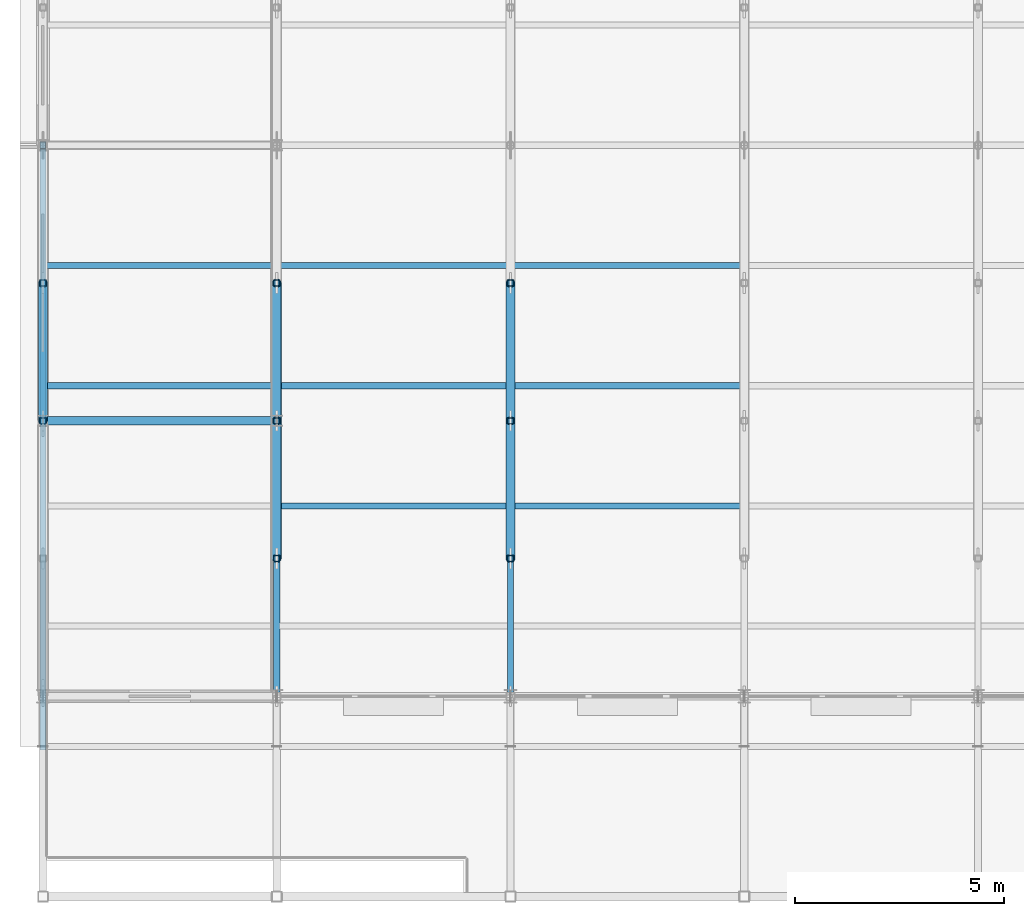
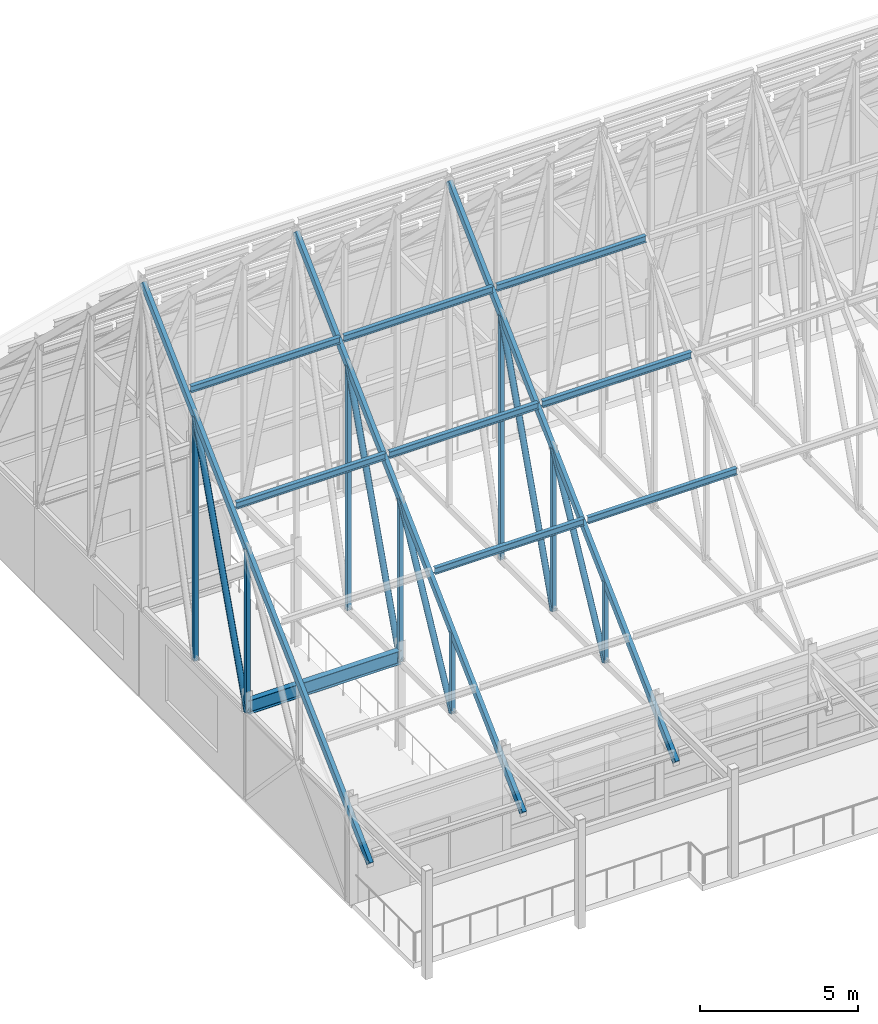
# One storey, part 23 of 144: 24 members, 1 beam.
"""IFC4 building model written with IfcOpenShell, lengths in metres."""

from ifc_helpers import new_model, si_unit, direction, frame, origin, origin_2d, place, context, subcontext, project, spatial, hollow_rectangle, hollow_circle, i_section, extrude, material, material_profile, profile_set, type_object, element, save


model = new_model("IFC4")

# Units and contexts
model_context = context("Model", 3, precision=1e-05, world=origin(), true_north=direction((0.0, 1.0)))
body_context = subcontext(model_context, "Body", "Model", "MODEL_VIEW")
ifc_project = project(units=[si_unit("LENGTHUNIT", "METRE"), si_unit("AREAUNIT", "SQUARE_METRE"), si_unit("VOLUMEUNIT", "CUBIC_METRE"), si_unit("PLANEANGLEUNIT", "RADIAN"), si_unit("MASSUNIT", "GRAM", prefix="KILO")], contexts=[model_context])

# Site, building, storey
site_placement = place(None, origin())
site = spatial("IfcSite", under=ifc_project, at=site_placement, CompositionType="ELEMENT")
building_placement = place(site_placement, origin())
building = spatial("IfcBuilding", under=site, at=building_placement, Name="Trelmorton Wharf Fire Station", CompositionType="ELEMENT")
storey_placement = place(building_placement, frame((0.0, 0.0, 5.39990234375)))
storey = spatial("IfcBuildingStorey", under=building, at=storey_placement, Name="L01", CompositionType="ELEMENT", Elevation=5.39990234375)

# Beam
ifc_material_1 = material(Name="Steel Grade 350", Category="steel")
ifc_material_profile_1 = material_profile(ifc_material_1, i_section(OverallWidth=0.208984375, OverallDepth=0.528076171875, WebThickness=0.009521484375, FlangeThickness=0.01318359375, FilletRadius=0.013916015625, at=origin_2d()), Name="530UB82.0")
ifc_profile_set_1 = profile_set([ifc_material_profile_1], Name="Steel Grade 350")
beam_type = type_object("IfcBeamType", Name="BM_530UB82", PredefinedType="BEAM", material=ifc_profile_set_1)
beam_placement = place(storey_placement, frame((0.803955078125, 14.39990234375, 3.55615234375), z_axis=(1.0, 0.0, 0.0), x_axis=(0.0, 1.0, 0.0)))
element("IfcBeam", 1, at=beam_placement, inside=storey, type_object=beam_type, Name="BM-L01-0423", PredefinedType="BEAM", context=body_context, shape_type="SweptSolid", body=[
    extrude(i_section(OverallWidth=0.208984375, OverallDepth=0.528076171875, WebThickness=0.009521484375, FlangeThickness=0.01318359375, FilletRadius=0.013916015625, at=origin_2d()), origin(), (0.0, 0.0, 1.0), 5.592041015625),
])

# Members
ifc_material_2 = material(Name="Steel Grade 300 (300 MPa)", Category="steel")
ifc_material_profile_2 = material_profile(ifc_material_2, i_section(OverallWidth=0.14599609375, OverallDepth=0.256103515625, WebThickness=0.00634765625, FlangeThickness=0.010986328125, FilletRadius=0.0087890625, at=origin_2d()), Name="250UB37.3")
ifc_profile_set_2 = profile_set([ifc_material_profile_2], Name="Steel Grade 300 (300 MPa)")
member_type_1 = type_object("IfcMemberType", Name="PR_250UB37", PredefinedType="PURLIN", material=ifc_profile_set_2)
for number, where, z_axis, x_axis, name in (
    (2, (0.8720703125, 15.239990234375, 10.8134765625), (1.0, 0.0, 0.0), (0.0, 1.0, 0.0), "V1-PR-B01-S3"),
    (3, (0.8720703125, 18.1201171875, 13.5625), (1.0, 0.0, 0.0), (0.0, 1.0, 0.0), "V1-PR-B01-S4"),
):
    element("IfcMember", number, at=place(storey_placement, frame(where, z_axis=z_axis, x_axis=x_axis)), inside=storey, type_object=member_type_1, Name=name, PredefinedType="PURLIN", context=body_context, shape_type="SweptSolid", body=[
        extrude(i_section(OverallWidth=0.14599609375, OverallDepth=0.256103515625, WebThickness=0.00634765625, FlangeThickness=0.010986328125, FilletRadius=0.0087890625, at=origin_2d()), origin(), (0.0, 0.0, 1.0), 5.455810546875),
    ])
for number, where, z_axis, x_axis, name in (
    (4, (6.471923828125, 12.360107421875, 8.064453125), (1.0, 0.0, 0.0), (0.0, 1.0, 0.0), "V1-PR-B02-S2"),
    (5, (6.471923828125, 15.239990234375, 10.8134765625), (1.0, 0.0, 0.0), (0.0, 1.0, 0.0), "V1-PR-B02-S3"),
    (6, (6.471923828125, 18.1201171875, 13.5625), (1.0, 0.0, 0.0), (0.0, 1.0, 0.0), "V1-PR-B02-S4"),
    (7, (12.072021484375, 12.360107421875, 8.064453125), (1.0, 0.0, 0.0), (0.0, 1.0, 0.0), "V1-PR-B03-S2"),
    (8, (12.072021484375, 15.239990234375, 10.8134765625), (1.0, 0.0, 0.0), (0.0, 1.0, 0.0), "V1-PR-B03-S3"),
    (9, (12.072021484375, 18.1201171875, 13.5625), (1.0, 0.0, 0.0), (0.0, 1.0, 0.0), "V1-PR-B03-S4"),
):
    element("IfcMember", number, at=place(storey_placement, frame(where, z_axis=z_axis, x_axis=x_axis)), inside=storey, type_object=member_type_1, Name=name, PredefinedType="PURLIN", context=body_context, shape_type="SweptSolid", body=[
        extrude(i_section(OverallWidth=0.14599609375, OverallDepth=0.256103515625, WebThickness=0.00634765625, FlangeThickness=0.010986328125, FilletRadius=0.0087890625, at=origin_2d()), origin(), (0.0, 0.0, 1.0), 5.4560546875),
    ])
ifc_material_3 = material(Name="Steel C350L0 (350 MPa)", Category="steel")
ifc_material_profile_3 = material_profile(ifc_material_3, hollow_circle(Radius=0.109619140625, WallThickness=0.00830078125, at=origin_2d()), Name="219.1x8.2CHS")
ifc_profile_set_3 = profile_set([ifc_material_profile_3], Name="Steel C350L0 (350 MPa)")
member_type_2 = type_object("IfcMemberType", Name="TR_DIAG_219CHS", PredefinedType="STRUT", material=ifc_profile_set_3)
member_1_placement = place(storey_placement, frame((0.800048828125, 14.39990234375, 3.351806640625), z_axis=(0.0, 0.329681107508, 0.944092351072), x_axis=(-1.0, 0.0, 0.0)))
element("IfcMember", 10, at=member_1_placement, inside=storey, type_object=member_type_2, Name="V1-TR01-DG-S2", PredefinedType="STRUT", context=body_context, shape_type="SweptSolid", body=[
    extrude(hollow_circle(Radius=0.109619140625, WallThickness=0.00830078125, at=origin_2d()), origin(), (0.0, 0.0, 1.0), 10.009765625),
])
member_2_placement = place(storey_placement, frame((6.39990234375, 11.10009765625, 3.351806640625), z_axis=(0.0, 0.463982622554, 0.8858443012), x_axis=(-1.0, 0.0, 0.0)))
element("IfcMember", 11, at=member_2_placement, inside=storey, type_object=member_type_2, Name="V1-TR02-DG-S1", PredefinedType="STRUT", context=body_context, shape_type="SweptSolid", body=[
    extrude(hollow_circle(Radius=0.109619140625, WallThickness=0.00830078125, at=origin_2d()), origin(), (0.0, 0.0, 1.0), 7.11181640625),
])
member_3_placement = place(storey_placement, frame((6.39990234375, 14.39990234375, 3.351806640625), z_axis=(0.0, 0.329681107508, 0.944092351072), x_axis=(-1.0, 0.0, 0.0)))
element("IfcMember", 12, at=member_3_placement, inside=storey, type_object=member_type_2, Name="V1-TR02-DG-S2", PredefinedType="STRUT", context=body_context, shape_type="SweptSolid", body=[
    extrude(hollow_circle(Radius=0.109619140625, WallThickness=0.00830078125, at=origin_2d()), origin(), (0.0, 0.0, 1.0), 10.009765625),
])
member_4_placement = place(storey_placement, frame((12.0, 11.10009765625, 3.351806640625), z_axis=(0.0, 0.463982622554, 0.8858443012), x_axis=(-1.0, 0.0, 0.0)))
element("IfcMember", 13, at=member_4_placement, inside=storey, type_object=member_type_2, Name="V1-TR03-DG-S1", PredefinedType="STRUT", context=body_context, shape_type="SweptSolid", body=[
    extrude(hollow_circle(Radius=0.109619140625, WallThickness=0.00830078125, at=origin_2d()), origin(), (0.0, 0.0, 1.0), 7.11181640625),
])
member_5_placement = place(storey_placement, frame((12.0, 14.39990234375, 3.351806640625), z_axis=(0.0, 0.329681107508, 0.944092351072), x_axis=(-1.0, 0.0, 0.0)))
element("IfcMember", 14, at=member_5_placement, inside=storey, type_object=member_type_2, Name="V1-TR03-DG-S2", PredefinedType="STRUT", context=body_context, shape_type="SweptSolid", body=[
    extrude(hollow_circle(Radius=0.109619140625, WallThickness=0.00830078125, at=origin_2d()), origin(), (0.0, 0.0, 1.0), 10.009765625),
])
ifc_material_profile_4 = material_profile(ifc_material_3, hollow_rectangle(XDim=0.14990234375, YDim=0.14990234375, WallThickness=0.009033203125, at=origin_2d()), Name="150x150x9.0SHS")
ifc_profile_set_4 = profile_set([ifc_material_profile_4], Name="Steel C350L0 (350 MPa)")
member_type_3 = type_object("IfcMemberType", Name="TR_POST_150SHS", PredefinedType="POST", material=ifc_profile_set_4)
member_6_placement = place(storey_placement, frame((0.800048828125, 14.39990234375, 3.351806640625), z_axis=(0.0, 0.0, 1.0), x_axis=(1.0, 0.0, 0.0)))
element("IfcMember", 15, at=member_6_placement, inside=storey, type_object=member_type_3, Name="V1-TR01-VP-S2", PredefinedType="POST", context=body_context, shape_type="SweptSolid", body=[
    extrude(hollow_rectangle(XDim=0.14990234375, YDim=0.14990234375, WallThickness=0.009033203125, at=origin_2d()), origin(), (0.0, 0.0, 1.0), 6.300048828125),
])
member_7_placement = place(storey_placement, frame((0.800048828125, 17.699951171875, 3.351806640625), z_axis=(0.0, 0.0, 1.0), x_axis=(1.0, 0.0, 0.0)))
element("IfcMember", 16, at=member_7_placement, inside=storey, type_object=member_type_3, Name="V1-TR01-VP-S3", PredefinedType="POST", context=body_context, shape_type="SweptSolid", body=[
    extrude(hollow_rectangle(XDim=0.14990234375, YDim=0.14990234375, WallThickness=0.009033203125, at=origin_2d()), origin(), (0.0, 0.0, 1.0), 9.4501953125),
])
member_8_placement = place(storey_placement, frame((6.39990234375, 11.10009765625, 3.351806640625), z_axis=(0.0, 0.0, 1.0), x_axis=(1.0, 0.0, 0.0)))
element("IfcMember", 17, at=member_8_placement, inside=storey, type_object=member_type_3, Name="V1-TR02-VP-S1", PredefinedType="POST", context=body_context, shape_type="SweptSolid", body=[
    extrude(hollow_rectangle(XDim=0.14990234375, YDim=0.14990234375, WallThickness=0.009033203125, at=origin_2d()), origin(), (0.0, 0.0, 1.0), 3.150146484375),
])
member_9_placement = place(storey_placement, frame((6.39990234375, 14.39990234375, 3.351806640625), z_axis=(0.0, 0.0, 1.0), x_axis=(1.0, 0.0, 0.0)))
element("IfcMember", 18, at=member_9_placement, inside=storey, type_object=member_type_3, Name="V1-TR02-VP-S2", PredefinedType="POST", context=body_context, shape_type="SweptSolid", body=[
    extrude(hollow_rectangle(XDim=0.14990234375, YDim=0.14990234375, WallThickness=0.009033203125, at=origin_2d()), origin(), (0.0, 0.0, 1.0), 6.300048828125),
])
member_10_placement = place(storey_placement, frame((6.39990234375, 17.699951171875, 3.351806640625), z_axis=(0.0, 0.0, 1.0), x_axis=(1.0, 0.0, 0.0)))
element("IfcMember", 19, at=member_10_placement, inside=storey, type_object=member_type_3, Name="V1-TR02-VP-S3", PredefinedType="POST", context=body_context, shape_type="SweptSolid", body=[
    extrude(hollow_rectangle(XDim=0.14990234375, YDim=0.14990234375, WallThickness=0.009033203125, at=origin_2d()), origin(), (0.0, 0.0, 1.0), 9.4501953125),
])
member_11_placement = place(storey_placement, frame((12.0, 11.10009765625, 3.351806640625), z_axis=(0.0, 0.0, 1.0), x_axis=(1.0, 0.0, 0.0)))
element("IfcMember", 20, at=member_11_placement, inside=storey, type_object=member_type_3, Name="V1-TR03-VP-S1", PredefinedType="POST", context=body_context, shape_type="SweptSolid", body=[
    extrude(hollow_rectangle(XDim=0.14990234375, YDim=0.14990234375, WallThickness=0.009033203125, at=origin_2d()), origin(), (0.0, 0.0, 1.0), 3.150146484375),
])
member_12_placement = place(storey_placement, frame((12.0, 14.39990234375, 3.351806640625), z_axis=(0.0, 0.0, 1.0), x_axis=(1.0, 0.0, 0.0)))
element("IfcMember", 21, at=member_12_placement, inside=storey, type_object=member_type_3, Name="V1-TR03-VP-S2", PredefinedType="POST", context=body_context, shape_type="SweptSolid", body=[
    extrude(hollow_rectangle(XDim=0.14990234375, YDim=0.14990234375, WallThickness=0.009033203125, at=origin_2d()), origin(), (0.0, 0.0, 1.0), 6.300048828125),
])
member_13_placement = place(storey_placement, frame((12.0, 17.699951171875, 3.351806640625), z_axis=(0.0, 0.0, 1.0), x_axis=(1.0, 0.0, 0.0)))
element("IfcMember", 22, at=member_13_placement, inside=storey, type_object=member_type_3, Name="V1-TR03-VP-S3", PredefinedType="POST", context=body_context, shape_type="SweptSolid", body=[
    extrude(hollow_rectangle(XDim=0.14990234375, YDim=0.14990234375, WallThickness=0.009033203125, at=origin_2d()), origin(), (0.0, 0.0, 1.0), 9.4501953125),
])
ifc_material_profile_5 = material_profile(ifc_material_3, hollow_rectangle(XDim=0.14990234375, YDim=0.25, WallThickness=0.009033203125, at=origin_2d()), Name="250x150x9.0RHS")
ifc_profile_set_5 = profile_set([ifc_material_profile_5], Name="Steel C350L0 (350 MPa)")
member_type_4 = type_object("IfcMemberType", Name="TR_RAFT_250RHS", PredefinedType="RAFTER", material=ifc_profile_set_5)
for number, where, z_axis, x_axis, name in (
    (23, (0.800048828125, 6.60009765625, 2.206298828125), (0.0, 0.723349418794, 0.690482163659), (-1.0, 0.0, 0.0), "V1-TR01-RFS"),
    (24, (6.39990234375, 6.60009765625, 2.206298828125), (0.0, 0.723349418794, 0.690482163659), (-1.0, 0.0, 0.0), "V1-TR02-RFS"),
    (25, (12.0, 6.60009765625, 2.206298828125), (0.0, 0.723349418794, 0.690482163659), (-1.0, 0.0, 0.0), "V1-TR03-RFS"),
):
    element("IfcMember", number, at=place(storey_placement, frame(where, z_axis=z_axis, x_axis=x_axis)), inside=storey, type_object=member_type_4, Name=name, PredefinedType="RAFTER", context=body_context, shape_type="SweptSolid", body=[
        extrude(hollow_rectangle(XDim=0.14990234375, YDim=0.25, WallThickness=0.009033203125, at=origin_2d()), origin(), (0.0, 0.0, 1.0), 19.9072265625),
    ])

save(model, "model.ifc")
